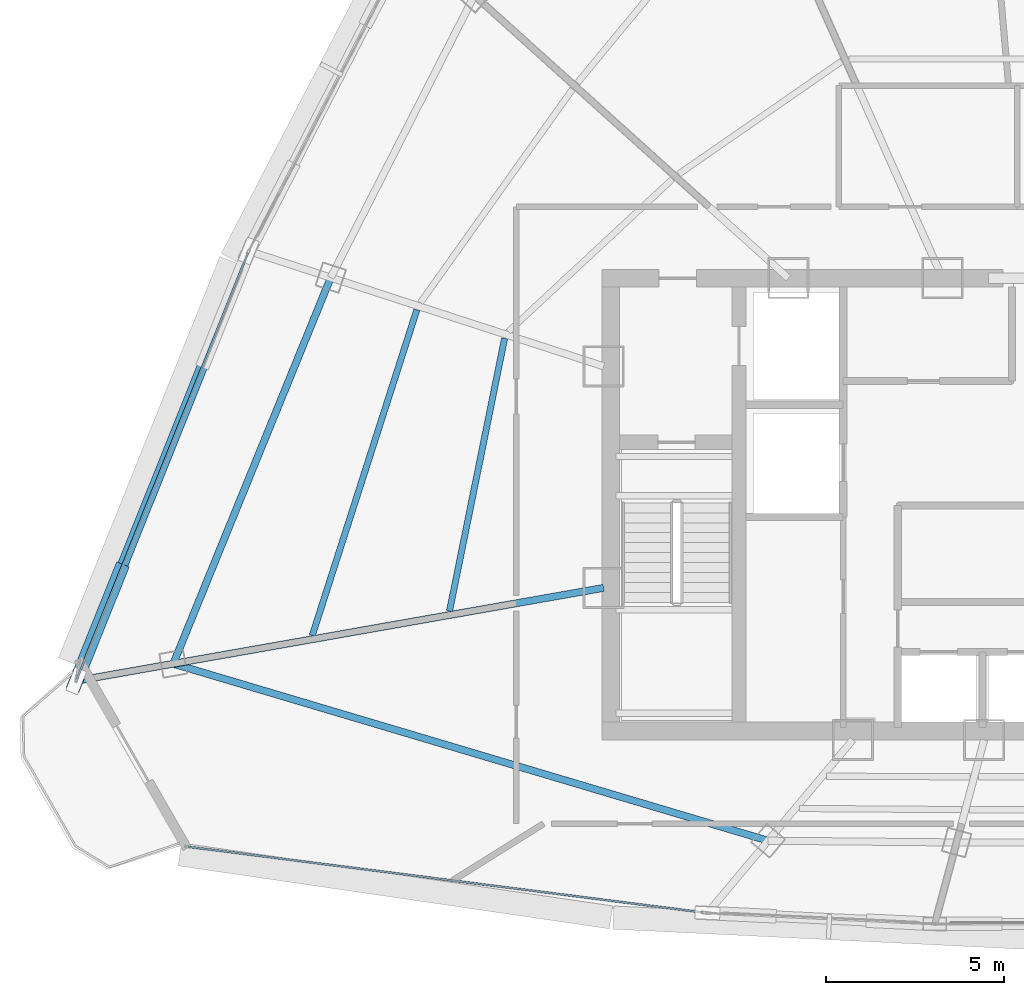
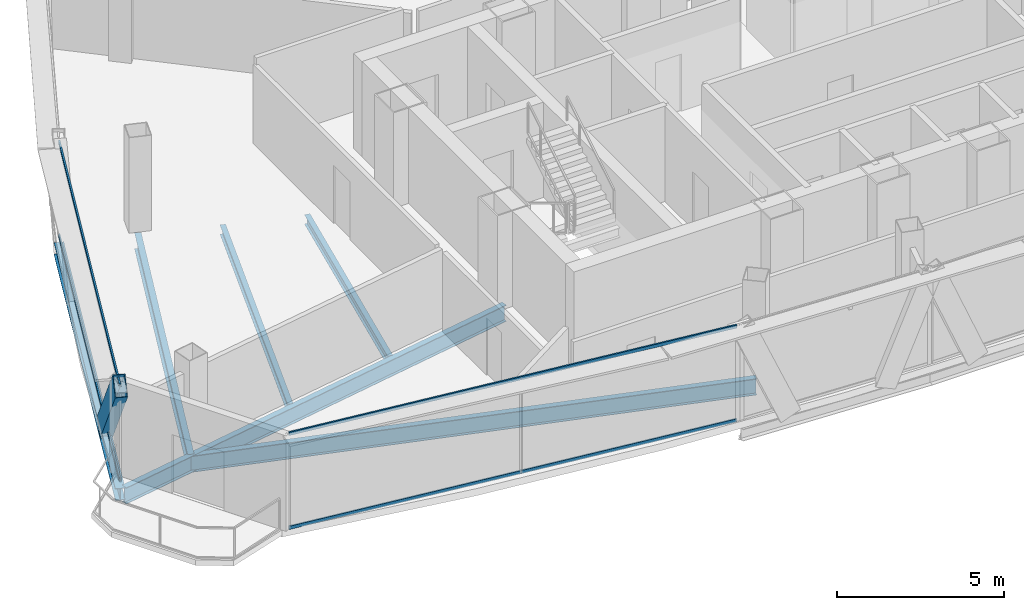
# One storey, part 3 of 30: 6 beams, 5 members, 2 elements without a shape of their own.
"""IFC4 building model written with IfcOpenShell, lengths in metres."""

from ifc_helpers import new_model, si_unit, direction, frame, origin, origin_2d, place, context, subcontext, project, spatial, hollow_rectangle, i_section, extrude, source, transform, mapped, material, layer, layer_set, material_profile, profile_set, type_object, element, aggregate, save


model = new_model("IFC4")

# Units and contexts
model_context = context("Model", 3, precision=1e-05, world=origin(), true_north=direction((0.0, 1.0)))
body_context = subcontext(model_context, "Body", "Model", "MODEL_VIEW")
ifc_project = project(units=[si_unit("LENGTHUNIT", "METRE"), si_unit("AREAUNIT", "SQUARE_METRE"), si_unit("VOLUMEUNIT", "CUBIC_METRE"), si_unit("PLANEANGLEUNIT", "RADIAN"), si_unit("MASSUNIT", "GRAM", prefix="KILO"), si_unit("THERMODYNAMICTEMPERATUREUNIT", "KELVIN"), si_unit("POWERUNIT", "WATT")], contexts=[model_context])

# Site, building, storey
site_placement = place(None, origin())
site = spatial("IfcSite", under=ifc_project, at=site_placement, CompositionType="ELEMENT")
building_placement = place(site_placement, origin())
building = spatial("IfcBuilding", under=site, at=building_placement, Name="Yunzhuo Pagoda Commons", CompositionType="ELEMENT")
storey_placement = place(building_placement, frame((0.0, 0.0, 348.010009765625)))
storey = spatial("IfcBuildingStorey", under=building, at=storey_placement, Name="L87", CompositionType="ELEMENT", Elevation=348.010009765625)

# Beams
ifc_material_1 = material(Name="Structural steel Q355B", Category="steel")
ifc_material_profile_1 = material_profile(ifc_material_1, i_section(OverallWidth=0.199951171875, OverallDepth=0.60009765625, WebThickness=0.010986328125, FlangeThickness=0.01708984375, at=origin_2d()), Name="Structural steel Q355B")
ifc_profile_set_1 = profile_set([ifc_material_profile_1], Name="Structural steel Q355B")
beam_type_1 = type_object("IfcBeamType", Name="B-RG3 Beam HN 600x200x11x17", PredefinedType="BEAM", material=ifc_profile_set_1)
shared_shape_1 = source(origin(), body_context, "Body", "SweptSolid", [
    extrude(i_section(OverallWidth=0.199951171875, OverallDepth=0.60009765625, WebThickness=0.010986328125, FlangeThickness=0.01708984375, at=origin_2d()), origin(), (0.0, 0.0, 1.0), 17.407470703125),
])
beam_1_placement = place(storey_placement, frame((23.52978515625, 29.38525390625, -0.56005859375), z_axis=(0.958484984609, -0.285143006717, 0.0), x_axis=(0.285143006717, 0.958484984609, 0.0)))
element("IfcBeam", 1, at=beam_1_placement, inside=storey, type_object=beam_type_1, Name="L87 column-ring beam 12", PredefinedType="BEAM", context=body_context, shape_type="MappedRepresentation", body=[
    mapped(shared_shape_1, transform((0.0, 0.0, 0.0), scale=1.0)),
])
shared_shape_2 = source(origin(), body_context, "Body", "SweptSolid", [
    extrude(i_section(OverallWidth=0.199951171875, OverallDepth=0.60009765625, WebThickness=0.010986328125, FlangeThickness=0.01708984375, at=origin_2d()), origin(), (0.0, 0.0, 1.0), 11.696533203125),
])
beam_2_placement = place(storey_placement, frame((27.946533203125, 40.2158203125, -0.56005859375), z_axis=(-0.377611800863, -0.925963999219, 0.0), x_axis=(0.925963999219, -0.377611800863, 0.0)))
element("IfcBeam", 2, at=beam_2_placement, inside=storey, type_object=beam_type_1, Name="L87 column-ring beam 11", PredefinedType="BEAM", context=body_context, shape_type="MappedRepresentation", body=[
    mapped(shared_shape_2, transform((0.0, 0.0, 0.0), scale=1.0)),
])
ifc_material_profile_2 = material_profile(ifc_material_1, i_section(OverallWidth=0.175048828125, OverallDepth=0.35009765625, WebThickness=0.007080078125, FlangeThickness=0.010986328125, at=origin_2d()), Name="Structural steel Q355B")
ifc_profile_set_2 = profile_set([ifc_material_profile_2], Name="Structural steel Q355B")
beam_type_2 = type_object("IfcBeamType", Name="B-JS2 Joist HN 350x175x7x11", PredefinedType="JOIST", material=ifc_profile_set_2)
shared_shape_3 = source(origin(), body_context, "Body", "SweptSolid", [
    extrude(i_section(OverallWidth=0.175048828125, OverallDepth=0.35009765625, WebThickness=0.007080078125, FlangeThickness=0.010986328125, at=origin_2d()), origin(), (0.0, 0.0, 1.0), 7.8056640625),
])
beam_3_placement = place(storey_placement, frame((32.822265625, 38.511474609375, -0.43505859375), z_axis=(-0.197890187791, -0.980224195568, 0.0), x_axis=(0.980224195568, -0.197890187791, 0.0)))
element("IfcBeam", 3, at=beam_3_placement, inside=storey, type_object=beam_type_2, Name="L87 composite ring joist 1.11", PredefinedType="JOIST", context=body_context, shape_type="MappedRepresentation", body=[
    mapped(shared_shape_3, transform((0.0, 0.0, 0.0), scale=1.0)),
])
shared_shape_4 = source(origin(), body_context, "Body", "SweptSolid", [
    extrude(i_section(OverallWidth=0.175048828125, OverallDepth=0.35009765625, WebThickness=0.007080078125, FlangeThickness=0.010986328125, at=origin_2d()), origin(), (0.0, 0.0, 1.0), 9.593994140625),
])
beam_4_placement = place(storey_placement, frame((30.360595703125, 39.310546875, -0.43505859375), z_axis=(-0.305719218499, -0.952121714614, 0.0), x_axis=(0.952121714614, -0.305719218499, 0.0)))
element("IfcBeam", 4, at=beam_4_placement, inside=storey, type_object=beam_type_2, Name="L87 composite ring joist 2.11", PredefinedType="JOIST", context=body_context, shape_type="MappedRepresentation", body=[
    mapped(shared_shape_4, transform((0.0, 0.0, 0.0), scale=1.0)),
])
shared_shape_5 = source(origin(), body_context, "Body", "SweptSolid", [
    extrude(i_section(OverallWidth=0.199951171875, OverallDepth=0.60009765625, WebThickness=0.010986328125, FlangeThickness=0.01708984375, at=origin_2d()), origin(), (0.0, 0.0, 1.0), 14.866455078125),
])
beam_5_placement = place(storey_placement, frame((20.95947265625, 28.931884765625, -0.56005859375), z_axis=(0.984807686676, 0.173648553877, 0.0), x_axis=(-0.173648553877, 0.984807686676, 0.0)))
element("IfcBeam", 5, at=beam_5_placement, inside=storey, type_object=beam_type_1, Name="L87 radial floor girder F3C4", PredefinedType="BEAM", context=body_context, shape_type="MappedRepresentation", body=[
    mapped(shared_shape_5, transform((0.0, 0.0, 0.0), scale=1.0)),
])
ifc_material_profile_3 = material_profile(ifc_material_1, i_section(OverallWidth=0.300048828125, OverallDepth=0.43994140625, WebThickness=0.010986328125, FlangeThickness=0.01806640625, at=origin_2d()), Name="Structural steel Q355B")
ifc_profile_set_3 = profile_set([ifc_material_profile_3], Name="Structural steel Q355B")
beam_type_3 = type_object("IfcBeamType", Name="B-SP2 Beam HM 440x300x11x18", PredefinedType="BEAM", material=ifc_profile_set_3)
shared_shape_6 = source(origin(), body_context, "Body", "SweptSolid", [
    extrude(i_section(OverallWidth=0.300048828125, OverallDepth=0.43994140625, WebThickness=0.010986328125, FlangeThickness=0.01806640625, at=origin_2d()), origin(), (0.0, 0.0, 1.0), 12.9931640625),
])
beam_6_placement = place(storey_placement, frame((25.646240234375, 40.963134765625, -0.47998046875), z_axis=(-0.372475711611, -0.928041941002, 0.0), x_axis=(0.928041941002, -0.372475711611, 0.0)))
element("IfcBeam", 6, at=beam_6_placement, inside=storey, type_object=beam_type_3, Name="L87 facade edge spandrel beam F3.3", PredefinedType="BEAM", context=body_context, shape_type="MappedRepresentation", body=[
    mapped(shared_shape_6, transform((0.0, 0.0, 0.0), scale=1.0)),
])

# Member
ifc_material_profile_4 = material_profile(ifc_material_1, hollow_rectangle(XDim=0.3798828125, YDim=0.719970703125, WallThickness=0.02001953125, at=origin_2d()), Name="Structural steel Q355B")
ifc_profile_set_4 = profile_set([ifc_material_profile_4], Name="Structural steel Q355B")
member_type_1 = type_object("IfcMemberType", Name="M-DL3 Brace BOX 720x380x20", PredefinedType="BRACE", material=ifc_profile_set_4)
shared_shape_7 = source(origin(), body_context, "Body", "SweptSolid", [
    extrude(hollow_rectangle(XDim=0.3798828125, YDim=0.719970703125, WallThickness=0.02001953125, at=origin_2d()), origin(), (0.0, 0.0, 1.0), 4.961181640625),
])
member_1_placement = place(storey_placement, frame((22.016357421875, 31.919677734375, -0.260009765625), z_axis=(-0.243832974655, -0.607638662168, 0.755857616691), x_axis=(0.928066638093, -0.372414171668, 0.0)))
element("IfcMember", 7, at=member_1_placement, inside=storey, type_object=member_type_1, Name="L87 facade diamond brace F3.3R", PredefinedType="BRACE", context=body_context, shape_type="MappedRepresentation", body=[
    mapped(shared_shape_7, transform((0.0, 0.0, 0.0), scale=1.0)),
])

# Curtain wall, members
ifc_material_2 = material(Name="Anodized aluminium 6063-T6", Category="aluminium")
ifc_layer = layer(ifc_material_2, 0.139892578125)
ifc_layer_set = layer_set([ifc_layer], Name="Anodized aluminium 6063-T6")
curtain_wall_type = type_object("IfcCurtainWallType", Name="CW-HI High-Zone Ribbon Curtain Wall", PredefinedType="NOTDEFINED", material=ifc_layer_set)
curtain_wall_1_placement = place(storey_placement, origin())
curtain_wall_1 = element("IfcCurtainWall", 8, at=curtain_wall_1_placement, inside=storey, type_object=curtain_wall_type, Name="L87 curtain wall CW-L87-F1B1", PredefinedType="NOTDEFINED")
ifc_material_profile_5 = material_profile(ifc_material_2, hollow_rectangle(XDim=0.054931640625, YDim=0.1201171875, WallThickness=0.00341796875, at=origin_2d()), Name="Anodized aluminium 6063-T6")
ifc_profile_set_5 = profile_set([ifc_material_profile_5], Name="Anodized aluminium 6063-T6")
member_type_2 = type_object("IfcMemberType", Name="CW-HI-T Transom RHS 120x55x3.5", PredefinedType="USERDEFINED", material=ifc_profile_set_5)
shared_shape_8 = source(origin(), body_context, "Body", "SweptSolid", [
    extrude(hollow_rectangle(XDim=0.054931640625, YDim=0.1201171875, WallThickness=0.00341796875, at=origin_2d()), origin(), (0.0, 0.0, 1.0), 14.54931640625),
])
member_2_placement = place(storey_placement, frame((23.9462890625, 24.251708984375, 0.027587890625), z_axis=(0.991959463603, -0.126556005658, 0.0), x_axis=(0.126556005658, 0.991959463603, 0.0)))
member_2 = element("IfcMember", 9, at=member_2_placement, type_object=member_type_2, Name="CW transom 1.1", ObjectType="TRANSOM", PredefinedType="USERDEFINED", context=body_context, shape_type="MappedRepresentation", body=[
    mapped(shared_shape_8, transform((0.0, 0.0, 0.0), scale=1.0)),
])
member_3_placement = place(storey_placement, frame((23.9462890625, 24.251708984375, 3.46240234375), z_axis=(0.991959463603, -0.126556005658, 0.0), x_axis=(0.126556005658, 0.991959463603, 0.0)))
member_3 = element("IfcMember", 10, at=member_3_placement, type_object=member_type_2, Name="CW transom 1.2", ObjectType="TRANSOM", PredefinedType="USERDEFINED", context=body_context, shape_type="MappedRepresentation", body=[
    mapped(shared_shape_8, transform((0.0, 0.0, 0.0), scale=1.0)),
])
aggregate(curtain_wall_1, [member_2, member_3])

curtain_wall_2_placement = place(storey_placement, origin())
curtain_wall_2 = element("IfcCurtainWall", 11, at=curtain_wall_2_placement, inside=storey, type_object=curtain_wall_type, Name="L87 curtain wall CW-L87-F3B4", PredefinedType="NOTDEFINED")
shared_shape_9 = source(origin(), body_context, "Body", "SweptSolid", [
    extrude(hollow_rectangle(XDim=0.054931640625, YDim=0.1201171875, WallThickness=0.00341796875, at=origin_2d()), origin(), (0.0, 0.0, 1.0), 12.873046875),
])
member_4_placement = place(storey_placement, frame((25.623779296875, 40.907470703125, 0.027587890625), z_axis=(-0.372476015207, -0.928041819152, 0.0), x_axis=(0.928041819152, -0.372476015207, 0.0)))
member_4 = element("IfcMember", 12, at=member_4_placement, type_object=member_type_2, Name="CW transom 1.1", ObjectType="TRANSOM", PredefinedType="USERDEFINED", context=body_context, shape_type="MappedRepresentation", body=[
    mapped(shared_shape_9, transform((0.0, 0.0, 0.0), scale=1.0)),
])
member_5_placement = place(storey_placement, frame((25.623779296875, 40.907470703125, 3.46240234375), z_axis=(-0.372476015207, -0.928041819152, 0.0), x_axis=(0.928041819152, -0.372476015207, 0.0)))
member_5 = element("IfcMember", 13, at=member_5_placement, type_object=member_type_2, Name="CW transom 1.2", ObjectType="TRANSOM", PredefinedType="USERDEFINED", context=body_context, shape_type="MappedRepresentation", body=[
    mapped(shared_shape_9, transform((0.0, 0.0, 0.0), scale=1.0)),
])
aggregate(curtain_wall_2, [member_4, member_5])

save(model, "model.ifc")
